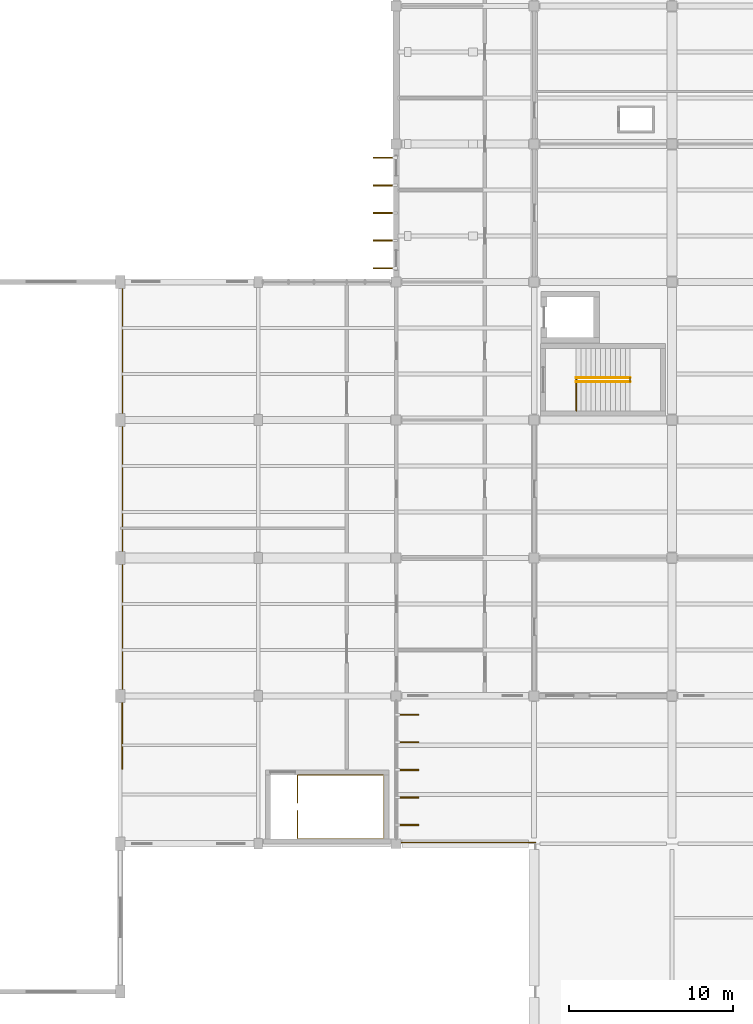
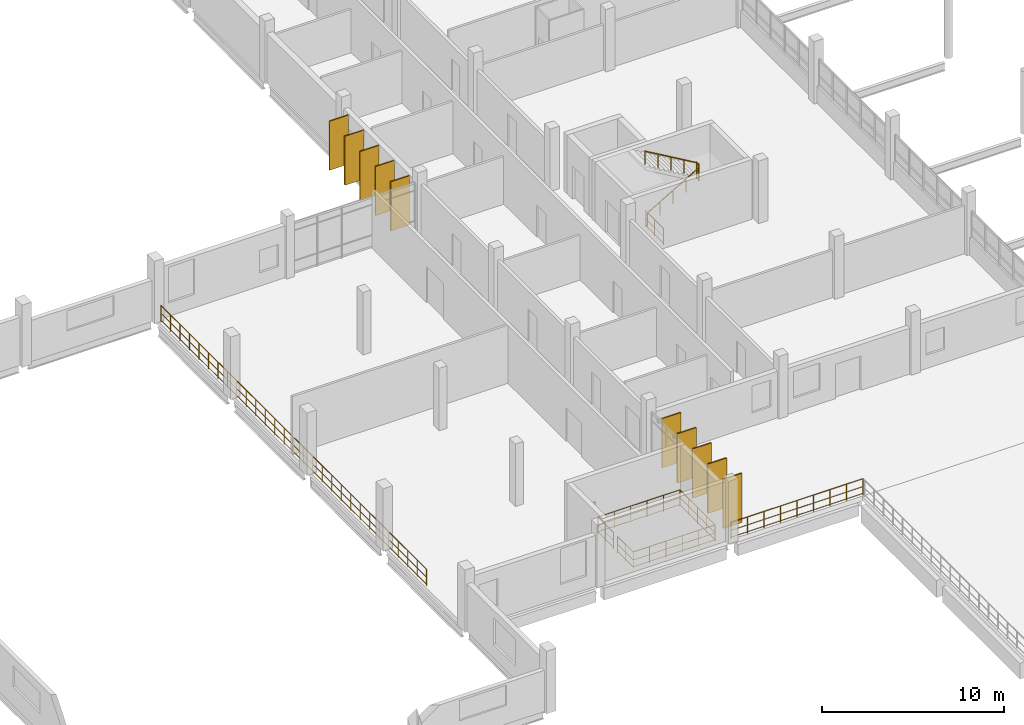
# One storey, part 95 of 101: 10 shading devices, 7 railings.
"""IFC4 building model written with IfcOpenShell, lengths in metres."""

from ifc_helpers import new_model, si_unit, direction, frame, origin, origin_2d, place, context, subcontext, project, spatial, rectangle, circle, extrude, material, material_profile, profile_set, type_object, element, save


model = new_model("IFC4")

# Units and contexts
model_context = context("Model", 3, precision=1e-05, world=origin(), true_north=direction((0.0, 1.0)))
body_context = subcontext(model_context, "Body", "Model", "MODEL_VIEW")
ifc_project = project(units=[si_unit("LENGTHUNIT", "METRE"), si_unit("AREAUNIT", "SQUARE_METRE"), si_unit("VOLUMEUNIT", "CUBIC_METRE"), si_unit("PLANEANGLEUNIT", "RADIAN"), si_unit("MASSUNIT", "GRAM", prefix="KILO")], contexts=[model_context])

# Site, building, storey
site_placement = place(None, origin())
site = spatial("IfcSite", under=ifc_project, at=site_placement, CompositionType="ELEMENT")
building_placement = place(site_placement, origin())
building = spatial("IfcBuilding", under=site, at=building_placement, Name="Vireocrest Preparatory School", CompositionType="ELEMENT")
storey_placement = place(building_placement, frame((0.0, 0.0, 4.800048828125)))
storey = spatial("IfcBuildingStorey", under=building, at=storey_placement, Name="L01", CompositionType="ELEMENT", Elevation=4.800048828125)

# Railings
ifc_material_1 = material(Name="Brushed stainless steel AISI 316", Category="steel")
railing_type_1 = type_object("IfcRailingType", Name="Post-and-Rail Guard Balustrade 1120", PredefinedType="BALUSTRADE", material=ifc_material_1)
railing_1_placement = place(storey_placement, frame((42.080078125, 18.080078125, 0.0)))
element("IfcRailing", 1, at=railing_1_placement, inside=storey, type_object=railing_type_1, Name="Terrace and Deck Guard Balustrade GR1 L01 WEST_TERR_S", PredefinedType="BALUSTRADE", context=body_context, shape_type="SweptSolid", body=[
    extrude(circle(Radius=0.02392578125, at=origin_2d()), frame((0.0, 0.0, 1.09619140625), z_axis=(1.0, 0.0, 0.0), x_axis=(0.0, 1.0, 0.0)), (0.0, 0.0, 1.0), 8.39990234375),
    extrude(circle(Radius=0.01806640625, at=origin_2d()), frame((0.0, 0.0, 0.56005859375), z_axis=(1.0, 0.0, 0.0), x_axis=(0.0, 1.0, 0.0)), (0.0, 0.0, 1.0), 8.39990234375),
    extrude(circle(Radius=0.01806640625, at=origin_2d()), frame((0.0, 0.0, 0.10009765625), z_axis=(1.0, 0.0, 0.0), x_axis=(0.0, 1.0, 0.0)), (0.0, 0.0, 1.0), 8.39990234375),
    extrude(circle(Radius=0.02099609375, at=origin_2d()), origin(), (0.0, 0.0, 1.0), 1.072021484375),
    extrude(circle(Radius=0.02099609375, at=origin_2d()), frame((1.050048828125, 0.0, 0.0)), (0.0, 0.0, 1.0), 1.072021484375),
    extrude(circle(Radius=0.02099609375, at=origin_2d()), frame((2.10009765625, 0.0, 0.0)), (0.0, 0.0, 1.0), 1.072021484375),
    extrude(circle(Radius=0.02099609375, at=origin_2d()), frame((3.14990234375, 0.0, 0.0)), (0.0, 0.0, 1.0), 1.072021484375),
    extrude(circle(Radius=0.02099609375, at=origin_2d()), frame((4.199951171875, 0.0, 0.0)), (0.0, 0.0, 1.0), 1.072021484375),
    extrude(circle(Radius=0.02099609375, at=origin_2d()), frame((5.25, 0.0, 0.0)), (0.0, 0.0, 1.0), 1.072021484375),
    extrude(circle(Radius=0.02099609375, at=origin_2d()), frame((6.2998046875, 0.0, 0.0)), (0.0, 0.0, 1.0), 1.072021484375),
    extrude(circle(Radius=0.02099609375, at=origin_2d()), frame((7.349853515625, 0.0, 0.0)), (0.0, 0.0, 1.0), 1.072021484375),
    extrude(circle(Radius=0.02099609375, at=origin_2d()), frame((8.39990234375, 0.0, 0.0)), (0.0, 0.0, 1.0), 1.072021484375),
])
railing_2_placement = place(storey_placement, frame((25.320068359375, 22.550048828125, 0.0)))
element("IfcRailing", 2, at=railing_2_placement, inside=storey, type_object=railing_type_1, Name="Terrace and Deck Guard Balustrade GR1 L01 SPORTS_GALLERY", PredefinedType="BALUSTRADE", context=body_context, shape_type="SweptSolid", body=[
    extrude(circle(Radius=0.02392578125, at=origin_2d()), frame((0.0, 0.0, 1.09619140625), z_axis=(0.0, 1.0, 0.0), x_axis=(-1.0, 0.0, 0.0)), (0.0, 0.0, 1.0), 29.25),
    extrude(circle(Radius=0.01806640625, at=origin_2d()), frame((0.0, 0.0, 0.56005859375), z_axis=(0.0, 1.0, 0.0), x_axis=(-1.0, 0.0, 0.0)), (0.0, 0.0, 1.0), 29.25),
    extrude(circle(Radius=0.01806640625, at=origin_2d()), frame((0.0, 0.0, 0.10009765625), z_axis=(0.0, 1.0, 0.0), x_axis=(-1.0, 0.0, 0.0)), (0.0, 0.0, 1.0), 29.25),
    extrude(circle(Radius=0.02099609375, at=origin_2d()), origin(), (0.0, 0.0, 1.0), 1.072021484375),
    extrude(circle(Radius=0.02099609375, at=origin_2d()), frame((0.0, 1.044677734375, 0.0)), (0.0, 0.0, 1.0), 1.072021484375),
    extrude(circle(Radius=0.02099609375, at=origin_2d()), frame((0.0, 2.08935546875, 0.0)), (0.0, 0.0, 1.0), 1.072021484375),
    extrude(circle(Radius=0.02099609375, at=origin_2d()), frame((0.0, 3.134033203125, 0.0)), (0.0, 0.0, 1.0), 1.072021484375),
    extrude(circle(Radius=0.02099609375, at=origin_2d()), frame((0.0, 4.178466796875, 0.0)), (0.0, 0.0, 1.0), 1.072021484375),
    extrude(circle(Radius=0.02099609375, at=origin_2d()), frame((0.0, 5.22314453125, 0.0)), (0.0, 0.0, 1.0), 1.072021484375),
    extrude(circle(Radius=0.02099609375, at=origin_2d()), frame((0.0, 6.267822265625, 0.0)), (0.0, 0.0, 1.0), 1.072021484375),
    extrude(circle(Radius=0.02099609375, at=origin_2d()), frame((0.0, 7.3125, 0.0)), (0.0, 0.0, 1.0), 1.072021484375),
    extrude(circle(Radius=0.02099609375, at=origin_2d()), frame((0.0, 8.357177734375, 0.0)), (0.0, 0.0, 1.0), 1.072021484375),
    extrude(circle(Radius=0.02099609375, at=origin_2d()), frame((0.0, 9.40185546875, 0.0)), (0.0, 0.0, 1.0), 1.072021484375),
    extrude(circle(Radius=0.02099609375, at=origin_2d()), frame((0.0, 10.446533203125, 0.0)), (0.0, 0.0, 1.0), 1.072021484375),
    extrude(circle(Radius=0.02099609375, at=origin_2d()), frame((0.0, 11.490966796875, 0.0)), (0.0, 0.0, 1.0), 1.072021484375),
    extrude(circle(Radius=0.02099609375, at=origin_2d()), frame((0.0, 12.53564453125, 0.0)), (0.0, 0.0, 1.0), 1.072021484375),
    extrude(circle(Radius=0.02099609375, at=origin_2d()), frame((0.0, 13.580322265625, 0.0)), (0.0, 0.0, 1.0), 1.072021484375),
    extrude(circle(Radius=0.02099609375, at=origin_2d()), frame((0.0, 14.625, 0.0)), (0.0, 0.0, 1.0), 1.072021484375),
    extrude(circle(Radius=0.02099609375, at=origin_2d()), frame((0.0, 15.669677734375, 0.0)), (0.0, 0.0, 1.0), 1.072021484375),
    extrude(circle(Radius=0.02099609375, at=origin_2d()), frame((0.0, 16.71435546875, 0.0)), (0.0, 0.0, 1.0), 1.072021484375),
    extrude(circle(Radius=0.02099609375, at=origin_2d()), frame((0.0, 17.759033203125, 0.0)), (0.0, 0.0, 1.0), 1.072021484375),
    extrude(circle(Radius=0.02099609375, at=origin_2d()), frame((0.0, 18.803466796875, 0.0)), (0.0, 0.0, 1.0), 1.072021484375),
    extrude(circle(Radius=0.02099609375, at=origin_2d()), frame((0.0, 19.84814453125, 0.0)), (0.0, 0.0, 1.0), 1.072021484375),
    extrude(circle(Radius=0.02099609375, at=origin_2d()), frame((0.0, 20.892822265625, 0.0)), (0.0, 0.0, 1.0), 1.072021484375),
    extrude(circle(Radius=0.02099609375, at=origin_2d()), frame((0.0, 21.9375, 0.0)), (0.0, 0.0, 1.0), 1.072021484375),
    extrude(circle(Radius=0.02099609375, at=origin_2d()), frame((0.0, 22.982177734375, 0.0)), (0.0, 0.0, 1.0), 1.072021484375),
    extrude(circle(Radius=0.02099609375, at=origin_2d()), frame((0.0, 24.02685546875, 0.0)), (0.0, 0.0, 1.0), 1.072021484375),
    extrude(circle(Radius=0.02099609375, at=origin_2d()), frame((0.0, 25.071533203125, 0.0)), (0.0, 0.0, 1.0), 1.072021484375),
    extrude(circle(Radius=0.02099609375, at=origin_2d()), frame((0.0, 26.115966796875, 0.0)), (0.0, 0.0, 1.0), 1.072021484375),
    extrude(circle(Radius=0.02099609375, at=origin_2d()), frame((0.0, 27.16064453125, 0.0)), (0.0, 0.0, 1.0), 1.072021484375),
    extrude(circle(Radius=0.02099609375, at=origin_2d()), frame((0.0, 28.205322265625, 0.0)), (0.0, 0.0, 1.0), 1.072021484375),
    extrude(circle(Radius=0.02099609375, at=origin_2d()), frame((0.0, 29.25, 0.0)), (0.0, 0.0, 1.0), 1.072021484375),
])
railing_3_placement = place(storey_placement, frame((52.969970703125, 44.35009765625, 0.0)))
element("IfcRailing", 3, at=railing_3_placement, inside=storey, type_object=railing_type_1, Name="Arrival Landing Guard ST1-L00", PredefinedType="BALUSTRADE", context=body_context, shape_type="SweptSolid", body=[
    extrude(circle(Radius=0.02392578125, at=origin_2d()), frame((0.0, 0.0, 1.09619140625), z_axis=(0.0, 1.0, 0.0), x_axis=(-1.0, 0.0, 0.0)), (0.0, 0.0, 1.0), 2.02001953125),
    extrude(circle(Radius=0.01806640625, at=origin_2d()), frame((0.0, 0.0, 0.56005859375), z_axis=(0.0, 1.0, 0.0), x_axis=(-1.0, 0.0, 0.0)), (0.0, 0.0, 1.0), 2.02001953125),
    extrude(circle(Radius=0.01806640625, at=origin_2d()), frame((0.0, 0.0, 0.10009765625), z_axis=(0.0, 1.0, 0.0), x_axis=(-1.0, 0.0, 0.0)), (0.0, 0.0, 1.0), 2.02001953125),
    extrude(circle(Radius=0.02099609375, at=origin_2d()), origin(), (0.0, 0.0, 1.0), 1.072021484375),
    extrude(circle(Radius=0.02099609375, at=origin_2d()), frame((0.0, 1.010009765625, 0.0)), (0.0, 0.0, 1.0), 1.072021484375),
    extrude(circle(Radius=0.02099609375, at=origin_2d()), frame((0.0, 2.02001953125, 0.0)), (0.0, 0.0, 1.0), 1.072021484375),
])
railing_4_placement = place(storey_placement, frame((56.22998046875, 46.1298828125, 2.099853515625)))
element("IfcRailing", 4, at=railing_4_placement, inside=storey, type_object=railing_type_1, Name="Half-Landing Well Guard ST1-L01", PredefinedType="BALUSTRADE", context=body_context, shape_type="SweptSolid", body=[
    extrude(circle(Radius=0.02392578125, at=origin_2d()), frame((0.0, 0.0, 1.09619140625), z_axis=(0.0, 1.0, 0.0), x_axis=(-1.0, 0.0, 0.0)), (0.0, 0.0, 1.0), 0.240234375),
    extrude(circle(Radius=0.01806640625, at=origin_2d()), frame((0.0, 0.0, 0.56005859375), z_axis=(0.0, 1.0, 0.0), x_axis=(-1.0, 0.0, 0.0)), (0.0, 0.0, 1.0), 0.240234375),
    extrude(circle(Radius=0.01806640625, at=origin_2d()), frame((0.0, 0.0, 0.10009765625), z_axis=(0.0, 1.0, 0.0), x_axis=(-1.0, 0.0, 0.0)), (0.0, 0.0, 1.0), 0.240234375),
    extrude(circle(Radius=0.02099609375, at=origin_2d()), origin(), (0.0, 0.0, 1.0), 1.072021484375),
    extrude(circle(Radius=0.02099609375, at=origin_2d()), frame((0.0, 0.240234375, 0.0)), (0.0, 0.0, 1.0), 1.072021484375),
])
railing_5_placement = place(storey_placement, frame((36.0, 20.469970703125, 0.0)))
element("IfcRailing", 5, at=railing_5_placement, inside=storey, type_object=railing_type_1, Name="Top Stairwell Perimeter Guard ST5 L01", PredefinedType="BALUSTRADE", context=body_context, shape_type="SweptSolid", body=[
    extrude(circle(Radius=0.02392578125, at=origin_2d()), frame((0.0, 0.0, 1.09619140625), z_axis=(0.0, 1.0, 0.0), x_axis=(-1.0, 0.0, 0.0)), (0.0, 0.0, 1.0), 1.719970703125),
    extrude(circle(Radius=0.01806640625, at=origin_2d()), frame((0.0, 0.0, 0.56005859375), z_axis=(0.0, 1.0, 0.0), x_axis=(-1.0, 0.0, 0.0)), (0.0, 0.0, 1.0), 1.719970703125),
    extrude(circle(Radius=0.01806640625, at=origin_2d()), frame((0.0, 0.0, 0.10009765625), z_axis=(0.0, 1.0, 0.0), x_axis=(-1.0, 0.0, 0.0)), (0.0, 0.0, 1.0), 1.719970703125),
    extrude(circle(Radius=0.02392578125, at=origin_2d()), frame((0.0, 1.719970703125, 1.09619140625), z_axis=(1.0, 0.0, 0.0), x_axis=(0.0, 1.0, 0.0)), (0.0, 0.0, 1.0), 5.2099609375),
    extrude(circle(Radius=0.01806640625, at=origin_2d()), frame((0.0, 1.719970703125, 0.56005859375), z_axis=(1.0, 0.0, 0.0), x_axis=(0.0, 1.0, 0.0)), (0.0, 0.0, 1.0), 5.2099609375),
    extrude(circle(Radius=0.01806640625, at=origin_2d()), frame((0.0, 1.719970703125, 0.10009765625), z_axis=(1.0, 0.0, 0.0), x_axis=(0.0, 1.0, 0.0)), (0.0, 0.0, 1.0), 5.2099609375),
    extrude(circle(Radius=0.02392578125, at=origin_2d()), frame((5.2099609375, 1.719970703125, 1.09619140625), z_axis=(0.0, -1.0, 0.0), x_axis=(1.0, 0.0, 0.0)), (0.0, 0.0, 1.0), 3.8798828125),
    extrude(circle(Radius=0.01806640625, at=origin_2d()), frame((5.2099609375, 1.719970703125, 0.56005859375), z_axis=(0.0, -1.0, 0.0), x_axis=(1.0, 0.0, 0.0)), (0.0, 0.0, 1.0), 3.8798828125),
    extrude(circle(Radius=0.01806640625, at=origin_2d()), frame((5.2099609375, 1.719970703125, 0.10009765625), z_axis=(0.0, -1.0, 0.0), x_axis=(1.0, 0.0, 0.0)), (0.0, 0.0, 1.0), 3.8798828125),
    extrude(circle(Radius=0.02392578125, at=origin_2d()), frame((5.2099609375, -2.159912109375, 1.09619140625), z_axis=(-1.0, 0.0, 0.0), x_axis=(0.0, -1.0, 0.0)), (0.0, 0.0, 1.0), 5.2099609375),
    extrude(circle(Radius=0.01806640625, at=origin_2d()), frame((5.2099609375, -2.159912109375, 0.56005859375), z_axis=(-1.0, 0.0, 0.0), x_axis=(0.0, -1.0, 0.0)), (0.0, 0.0, 1.0), 5.2099609375),
    extrude(circle(Radius=0.01806640625, at=origin_2d()), frame((5.2099609375, -2.159912109375, 0.10009765625), z_axis=(-1.0, 0.0, 0.0), x_axis=(0.0, -1.0, 0.0)), (0.0, 0.0, 1.0), 5.2099609375),
    extrude(circle(Radius=0.02392578125, at=origin_2d()), frame((0.0, -2.159912109375, 1.09619140625), z_axis=(0.0, 1.0, 0.0), x_axis=(-1.0, 0.0, 0.0)), (0.0, 0.0, 1.0), 1.719970703125),
    extrude(circle(Radius=0.01806640625, at=origin_2d()), frame((0.0, -2.159912109375, 0.56005859375), z_axis=(0.0, 1.0, 0.0), x_axis=(-1.0, 0.0, 0.0)), (0.0, 0.0, 1.0), 1.719970703125),
    extrude(circle(Radius=0.01806640625, at=origin_2d()), frame((0.0, -2.159912109375, 0.10009765625), z_axis=(0.0, 1.0, 0.0), x_axis=(-1.0, 0.0, 0.0)), (0.0, 0.0, 1.0), 1.719970703125),
    extrude(circle(Radius=0.02099609375, at=origin_2d()), origin(), (0.0, 0.0, 1.0), 1.072021484375),
    extrude(circle(Radius=0.02099609375, at=origin_2d()), frame((0.0, 0.85986328125, 0.0)), (0.0, 0.0, 1.0), 1.072021484375),
    extrude(circle(Radius=0.02099609375, at=origin_2d()), frame((0.0, 1.719970703125, 0.0)), (0.0, 0.0, 1.0), 1.072021484375),
    extrude(circle(Radius=0.02099609375, at=origin_2d()), frame((1.0419921875, 1.719970703125, 0.0)), (0.0, 0.0, 1.0), 1.072021484375),
    extrude(circle(Radius=0.02099609375, at=origin_2d()), frame((2.083984375, 1.719970703125, 0.0)), (0.0, 0.0, 1.0), 1.072021484375),
    extrude(circle(Radius=0.02099609375, at=origin_2d()), frame((3.1259765625, 1.719970703125, 0.0)), (0.0, 0.0, 1.0), 1.072021484375),
    extrude(circle(Radius=0.02099609375, at=origin_2d()), frame((4.16796875, 1.719970703125, 0.0)), (0.0, 0.0, 1.0), 1.072021484375),
    extrude(circle(Radius=0.02099609375, at=origin_2d()), frame((5.2099609375, 1.719970703125, 0.0)), (0.0, 0.0, 1.0), 1.072021484375),
    extrude(circle(Radius=0.02099609375, at=origin_2d()), frame((5.2099609375, 0.75, 0.0)), (0.0, 0.0, 1.0), 1.072021484375),
    extrude(circle(Radius=0.02099609375, at=origin_2d()), frame((5.2099609375, -0.219970703125, 0.0)), (0.0, 0.0, 1.0), 1.072021484375),
    extrude(circle(Radius=0.02099609375, at=origin_2d()), frame((5.2099609375, -1.18994140625, 0.0)), (0.0, 0.0, 1.0), 1.072021484375),
    extrude(circle(Radius=0.02099609375, at=origin_2d()), frame((5.2099609375, -2.159912109375, 0.0)), (0.0, 0.0, 1.0), 1.072021484375),
    extrude(circle(Radius=0.02099609375, at=origin_2d()), frame((4.16796875, -2.159912109375, 0.0)), (0.0, 0.0, 1.0), 1.072021484375),
    extrude(circle(Radius=0.02099609375, at=origin_2d()), frame((3.1259765625, -2.159912109375, 0.0)), (0.0, 0.0, 1.0), 1.072021484375),
    extrude(circle(Radius=0.02099609375, at=origin_2d()), frame((2.083984375, -2.159912109375, 0.0)), (0.0, 0.0, 1.0), 1.072021484375),
    extrude(circle(Radius=0.02099609375, at=origin_2d()), frame((1.0419921875, -2.159912109375, 0.0)), (0.0, 0.0, 1.0), 1.072021484375),
    extrude(circle(Radius=0.02099609375, at=origin_2d()), frame((0.0, -2.159912109375, 0.0)), (0.0, 0.0, 1.0), 1.072021484375),
    extrude(circle(Radius=0.02099609375, at=origin_2d()), frame((0.0, -1.2998046875, 0.0)), (0.0, 0.0, 1.0), 1.072021484375),
    extrude(circle(Radius=0.02099609375, at=origin_2d()), frame((0.0, -0.43994140625, 0.0)), (0.0, 0.0, 1.0), 1.072021484375),
])
railing_type_2 = type_object("IfcRailingType", Name="Stair Pitch Handrail 900", PredefinedType="HANDRAIL", material=ifc_material_1)
railing_6_placement = place(storey_placement, frame((52.949951171875, 46.1298828125, 0.175048828125)))
element("IfcRailing", 6, at=railing_6_placement, inside=storey, type_object=railing_type_2, Name="Stair Handrail ST1-L01-HR1", PredefinedType="HANDRAIL", context=body_context, shape_type="SweptSolid", body=[
    extrude(circle(Radius=0.02392578125, at=origin_2d()), frame((0.0, 0.0, 0.8759765625), z_axis=(0.863804395585, 0.0, 0.503827317807), x_axis=(0.0, 1.0, 0.0)), (0.0, 0.0, 1.0), 3.8203125),
    extrude(circle(Radius=0.02099609375, at=origin_2d()), origin(), (0.0, 0.0, 1.0), 0.851806640625),
    extrude(circle(Radius=0.02099609375, at=origin_2d()), frame((0.824951171875, 0.0, 0.481201171875)), (0.0, 0.0, 1.0), 0.851806640625),
    extrude(circle(Radius=0.02099609375, at=origin_2d()), frame((1.64990234375, 0.0, 0.96240234375)), (0.0, 0.0, 1.0), 0.851806640625),
    extrude(circle(Radius=0.02099609375, at=origin_2d()), frame((2.47509765625, 0.0, 1.443603515625)), (0.0, 0.0, 1.0), 0.851806640625),
    extrude(circle(Radius=0.02099609375, at=origin_2d()), frame((3.300048828125, 0.0, 1.9248046875)), (0.0, 0.0, 1.0), 0.851806640625),
])
railing_7_placement = place(storey_placement, frame((56.25, 46.3701171875, 2.27490234375)))
element("IfcRailing", 7, at=railing_7_placement, inside=storey, type_object=railing_type_2, Name="Stair Handrail ST1-L01-HR2", PredefinedType="HANDRAIL", context=body_context, shape_type="SweptSolid", body=[
    extrude(circle(Radius=0.02392578125, at=origin_2d()), frame((0.0, 0.0, 0.8759765625), z_axis=(-0.863776583165, 0.0, 0.503874998761), x_axis=(0.0, -1.0, 0.0)), (0.0, 0.0, 1.0), 3.820556640625),
    extrude(circle(Radius=0.02099609375, at=origin_2d()), origin(), (0.0, 0.0, 1.0), 0.851806640625),
    extrude(circle(Radius=0.02099609375, at=origin_2d()), frame((-0.824951171875, 0.0, 0.481201171875)), (0.0, 0.0, 1.0), 0.851806640625),
    extrude(circle(Radius=0.02099609375, at=origin_2d()), frame((-1.64990234375, 0.0, 0.96240234375)), (0.0, 0.0, 1.0), 0.851806640625),
    extrude(circle(Radius=0.02099609375, at=origin_2d()), frame((-2.47509765625, 0.0, 1.44384765625)), (0.0, 0.0, 1.0), 0.851806640625),
    extrude(circle(Radius=0.02099609375, at=origin_2d()), frame((-3.300048828125, 0.0, 1.925048828125)), (0.0, 0.0, 1.0), 0.851806640625),
])

# Shading devices
ifc_material_2 = material(Name="Warm anodised aluminium EN AW-6063-T6", Category="aluminium")
ifc_material_profile = material_profile(ifc_material_2, rectangle(XDim=0.080078125, YDim=1.199951171875, at=origin_2d()), Name="FIN 80x1200")
ifc_profile_set = profile_set([ifc_material_profile], Name="Warm anodised aluminium EN AW-6063-T6")
shading_device_type = type_object("IfcShadingDeviceType", Name="Vertical Anodised Aluminium Solar Fin 1200", PredefinedType="USERDEFINED", material=ifc_profile_set)
for number, where, z_axis, x_axis, name in (
    (8, (41.219970703125, 53.0400390625, 0.02001953125), (0.0, 0.0, 1.0), (0.0, 1.0, 0.0), "Vertical Solar Fin FN1 L01-12-1"),
    (9, (41.219970703125, 54.719970703125, 0.02001953125), (0.0, 0.0, 1.0), (0.0, 1.0, 0.0), "Vertical Solar Fin FN1 L01-12-2"),
    (10, (41.219970703125, 56.39990234375, 0.02001953125), (0.0, 0.0, 1.0), (0.0, 1.0, 0.0), "Vertical Solar Fin FN1 L01-12-3"),
    (11, (41.219970703125, 58.080078125, 0.02001953125), (0.0, 0.0, 1.0), (0.0, 1.0, 0.0), "Vertical Solar Fin FN1 L01-12-4"),
    (12, (41.219970703125, 59.760009765625, 0.02001953125), (0.0, 0.0, 1.0), (0.0, 1.0, 0.0), "Vertical Solar Fin FN1 L01-12-5"),
):
    element("IfcShadingDevice", number, at=place(storey_placement, frame(where, z_axis=z_axis, x_axis=x_axis)), inside=storey, type_object=shading_device_type, Name=name, ObjectType="FIN", PredefinedType="USERDEFINED", context=body_context, shape_type="SweptSolid", body=[
        extrude(rectangle(XDim=0.080078125, YDim=1.199951171875, at=origin_2d()), origin(), (0.0, 0.0, 1.0), 3.2919921875),
    ])
for number, where, z_axis, x_axis, name in (
    (13, (42.780029296875, 19.139892578125, 0.02001953125), (0.0, 0.0, 1.0), (0.0, -1.0, 0.0), "Vertical Solar Fin FN1 L01-13-1"),
    (14, (42.780029296875, 20.820068359375, 0.02001953125), (0.0, 0.0, 1.0), (0.0, -1.0, 0.0), "Vertical Solar Fin FN1 L01-13-2"),
    (15, (42.780029296875, 22.5, 0.02001953125), (0.0, 0.0, 1.0), (0.0, -1.0, 0.0), "Vertical Solar Fin FN1 L01-13-3"),
    (16, (42.780029296875, 24.179931640625, 0.02001953125), (0.0, 0.0, 1.0), (0.0, -1.0, 0.0), "Vertical Solar Fin FN1 L01-13-4"),
    (17, (42.780029296875, 25.860107421875, 0.02001953125), (0.0, 0.0, 1.0), (0.0, -1.0, 0.0), "Vertical Solar Fin FN1 L01-13-5"),
):
    element("IfcShadingDevice", number, at=place(storey_placement, frame(where, z_axis=z_axis, x_axis=x_axis)), inside=storey, type_object=shading_device_type, Name=name, ObjectType="FIN", PredefinedType="USERDEFINED", context=body_context, shape_type="SweptSolid", body=[
        extrude(rectangle(XDim=0.080078125, YDim=1.199951171875, at=origin_2d()), origin(), (0.0, 0.0, 1.0), 3.31201171875),
    ])

save(model, "model.ifc")
